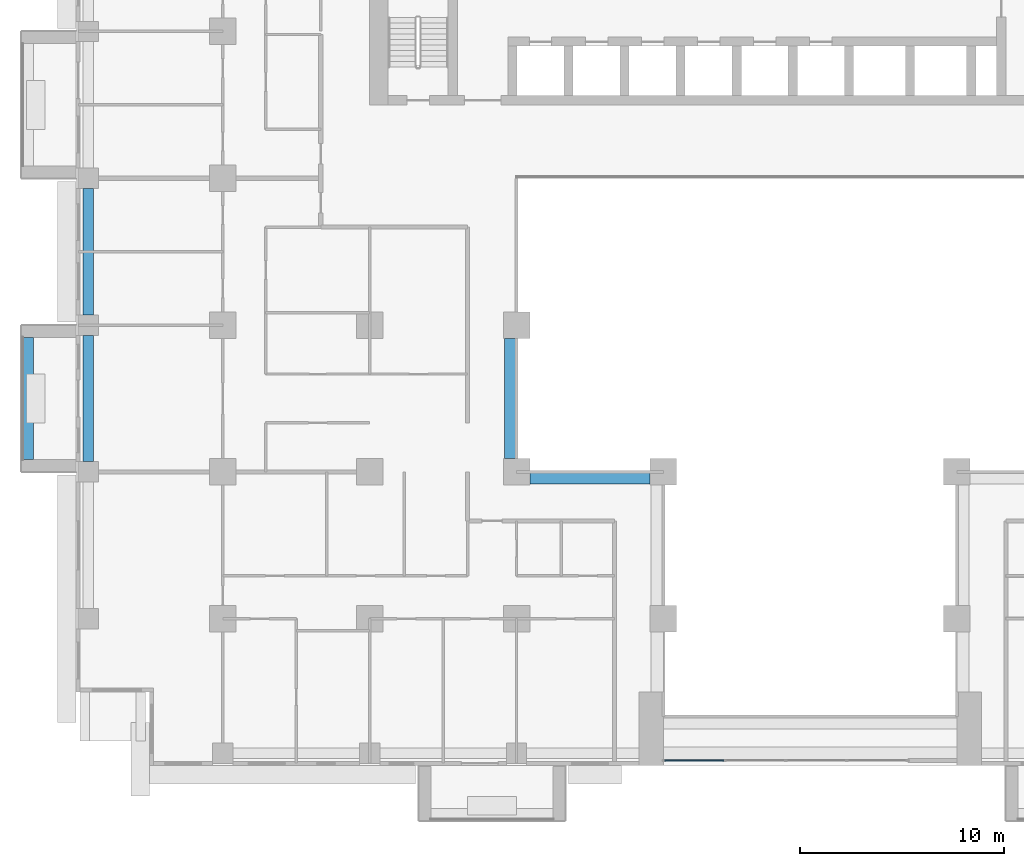
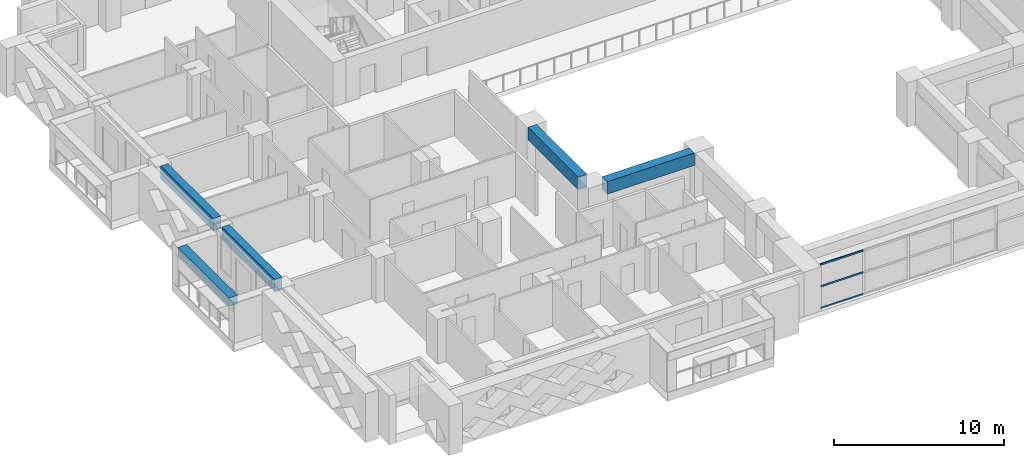
# One storey, part 3 of 17: 5 beams, 3 members, 1 element without a shape of its own.
"""IFC4 building model written with IfcOpenShell, lengths in metres."""

from ifc_helpers import new_model, si_unit, direction, frame, origin, origin_2d, place, context, subcontext, project, spatial, rectangle, extrude, source, transform, mapped, material, layer, layer_set, material_profile, profile_set, type_object, element, aggregate, save


model = new_model("IFC4")

# Units and contexts
model_context = context("Model", 3, precision=1e-05, world=origin(), true_north=direction((0.0, 1.0)))
body_context = subcontext(model_context, "Body", "Model", "MODEL_VIEW")
ifc_project = project(units=[si_unit("LENGTHUNIT", "METRE"), si_unit("AREAUNIT", "SQUARE_METRE"), si_unit("VOLUMEUNIT", "CUBIC_METRE"), si_unit("PLANEANGLEUNIT", "RADIAN"), si_unit("MASSUNIT", "GRAM", prefix="KILO")], contexts=[model_context])

# Site, building, storey
site_placement = place(None, origin())
site = spatial("IfcSite", under=ifc_project, at=site_placement, CompositionType="ELEMENT")
building_placement = place(site_placement, origin())
building = spatial("IfcBuilding", under=site, at=building_placement, Name="Saffron Iwan Residences", CompositionType="ELEMENT")
storey_placement = place(building_placement, frame((0.0, 0.0, 79.5)))
storey = spatial("IfcBuildingStorey", under=building, at=storey_placement, Name="L20", CompositionType="ELEMENT", Elevation=79.5)

# Beams
ifc_material_1 = material(Name="Concrete C60/75", Category="concrete")
ifc_material_profile_1 = material_profile(ifc_material_1, rectangle(XDim=0.5, YDim=0.89990234375, at=origin_2d()), Name="RC 500x900")
ifc_profile_set_1 = profile_set([ifc_material_profile_1], Name="Concrete C60/75")
beam_type_1 = type_object("IfcBeamType", Name="SPANDREL BEAM RC 500x900 C60/75 TOP 3180", PredefinedType="SPANDREL", material=ifc_profile_set_1)
shared_shape_1 = source(origin(), body_context, "Body", "SweptSolid", [
    extrude(rectangle(XDim=0.5, YDim=0.89990234375, at=origin_2d()), origin(), (0.0, 0.0, 1.0), 6.199951171875),
])
for number, where, z_axis, x_axis, name in (
    (1, (15.0, 48.5, 2.72998046875), (0.0, 1.0, 0.0), (-1.0, 0.0, 0.0), "Spandrel beam"),
    (2, (15.0, 55.699951171875, 2.72998046875), (0.0, 1.0, 0.0), (-1.0, 0.0, 0.0), "Spandrel beam"),
):
    element("IfcBeam", number, at=place(storey_placement, frame(where, z_axis=z_axis, x_axis=x_axis)), inside=storey, type_object=beam_type_1, Name=name, PredefinedType="SPANDREL", context=body_context, shape_type="MappedRepresentation", body=[
        mapped(shared_shape_1, transform((0.0, 0.0, 0.0))),
    ])
ifc_material_profile_2 = material_profile(ifc_material_1, rectangle(XDim=0.60009765625, YDim=0.89990234375, at=origin_2d()), Name="RC 600x900")
ifc_profile_set_2 = profile_set([ifc_material_profile_2], Name="Concrete C60/75")
beam_type_2 = type_object("IfcBeamType", Name="BEAM RC 600x900 C60/75 TOP 3180", PredefinedType="BEAM", material=ifc_profile_set_2)
shared_shape_2 = source(origin(), body_context, "Body", "SweptSolid", [
    extrude(rectangle(XDim=0.60009765625, YDim=0.89990234375, at=origin_2d()), origin(), (0.0, 0.0, 1.0), 5.900146484375),
])
for number, where, z_axis, x_axis, name in (
    (3, (42.550048828125, 47.699951171875, 2.72998046875), (-1.0, 0.0, 0.0), (0.0, -1.0, 0.0), "Atrium edge beam"),
    (4, (35.699951171875, 48.64990234375, 2.72998046875), (0.0, 1.0, 0.0), (-1.0, 0.0, 0.0), "Atrium edge beam"),
):
    element("IfcBeam", number, at=place(storey_placement, frame(where, z_axis=z_axis, x_axis=x_axis)), inside=storey, type_object=beam_type_2, Name=name, PredefinedType="BEAM", context=body_context, shape_type="MappedRepresentation", body=[
        mapped(shared_shape_2, transform((0.0, 0.0, 0.0))),
    ])

# Curtain wall, members
ifc_material_2 = material(Name="Clear glass, laminated double glazed", Category="glass")
ifc_layer = layer(ifc_material_2, 0.199951171875)
ifc_layer_set = layer_set([ifc_layer], Name="Clear glass, laminated double glazed")
curtain_wall_type = type_object("IfcCurtainWallType", Name="CW-B IWAN PORTAL", PredefinedType="NOTDEFINED", material=ifc_layer_set)
curtain_wall_placement = place(storey_placement, origin())
curtain_wall = element("IfcCurtainWall", 5, at=curtain_wall_placement, inside=storey, type_object=curtain_wall_type, Name="Iwan portal glazing L20.1", PredefinedType="NOTDEFINED")
ifc_material_3 = material(Name="Aluminium 6063-T6", Category="aluminium")
ifc_material_profile_3 = material_profile(ifc_material_3, rectangle(XDim=0.06005859375, YDim=0.1201171875, at=origin_2d()), Name="CW-B TRANSOM 60 x 120")
ifc_profile_set_3 = profile_set([ifc_material_profile_3], Name="Aluminium 6063-T6")
member_type = type_object("IfcMemberType", Name="CW-B TRANSOM 60 x 120", PredefinedType="USERDEFINED", material=ifc_profile_set_3)
shared_shape_3 = source(origin(), body_context, "Body", "SweptSolid", [
    extrude(rectangle(XDim=0.06005859375, YDim=0.1201171875, at=origin_2d()), origin(), (0.0, 0.0, 1.0), 2.909912109375),
])
member_1_placement = place(storey_placement, frame((43.260009765625, 33.85009765625, 0.030029296875), z_axis=(1.0, 0.0, 0.0), x_axis=(0.0, 1.0, 0.0)))
member_1 = element("IfcMember", 6, at=member_1_placement, type_object=member_type, Name="CW-B transom 1.1", ObjectType="TRANSOM", PredefinedType="USERDEFINED", context=body_context, shape_type="MappedRepresentation", body=[
    mapped(shared_shape_3, transform((0.0, 0.0, 0.0))),
])
member_2_placement = place(storey_placement, frame((43.260009765625, 33.85009765625, 1.590087890625), z_axis=(1.0, 0.0, 0.0), x_axis=(0.0, 1.0, 0.0)))
member_2 = element("IfcMember", 7, at=member_2_placement, type_object=member_type, Name="CW-B transom 1.2", ObjectType="TRANSOM", PredefinedType="USERDEFINED", context=body_context, shape_type="MappedRepresentation", body=[
    mapped(shared_shape_3, transform((0.0, 0.0, 0.0))),
])
member_3_placement = place(storey_placement, frame((43.260009765625, 33.85009765625, 3.14990234375), z_axis=(1.0, 0.0, 0.0), x_axis=(0.0, 1.0, 0.0)))
member_3 = element("IfcMember", 8, at=member_3_placement, type_object=member_type, Name="CW-B transom 1.3", ObjectType="TRANSOM", PredefinedType="USERDEFINED", context=body_context, shape_type="MappedRepresentation", body=[
    mapped(shared_shape_3, transform((0.0, 0.0, 0.0))),
])
aggregate(curtain_wall, [member_1, member_2, member_3])

# Beam
ifc_material_4 = material(Name="Concrete C50/60 white painted", Category="concrete")
ifc_material_profile_4 = material_profile(ifc_material_4, rectangle(XDim=0.60009765625, YDim=0.60009765625, at=origin_2d()), Name="BALCONY FASCIA BEAM 600 x 600")
ifc_profile_set_4 = profile_set([ifc_material_profile_4], Name="Concrete C50/60 white painted")
beam_type_3 = type_object("IfcBeamType", Name="BALCONY FASCIA BEAM 600 x 600", PredefinedType="BEAM", material=ifc_profile_set_4)
shared_shape_4 = source(origin(), body_context, "Body", "SweptSolid", [
    extrude(rectangle(XDim=0.60009765625, YDim=0.60009765625, at=origin_2d()), origin(), (0.0, 0.0, 1.0), 6.0),
])
beam_placement = place(storey_placement, frame((12.0, 54.60009765625, 2.550048828125), z_axis=(0.0, -1.0, 0.0), x_axis=(1.0, 0.0, 0.0)))
element("IfcBeam", 9, at=beam_placement, inside=storey, type_object=beam_type_3, Name="Balcony fascia beam L20 F8-1", PredefinedType="BEAM", context=body_context, shape_type="MappedRepresentation", body=[
    mapped(shared_shape_4, transform((0.0, 0.0, 0.0))),
])

save(model, "model.ifc")
